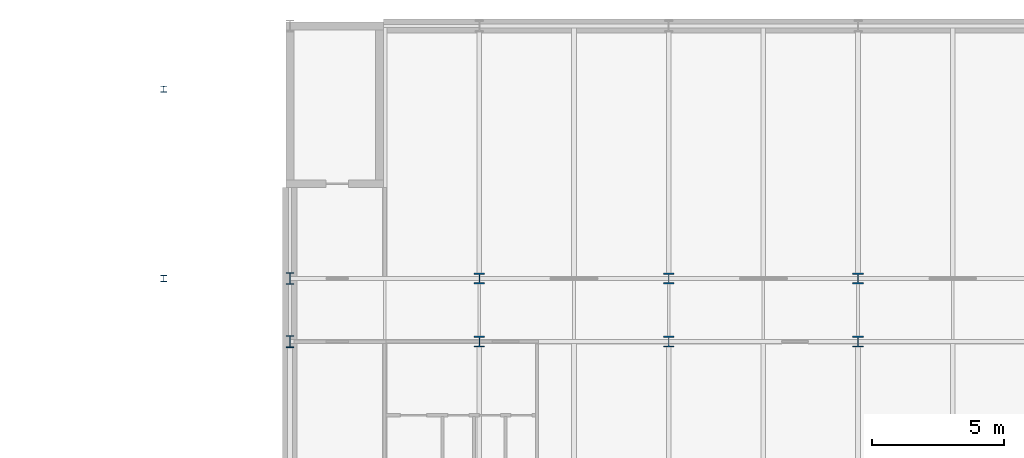
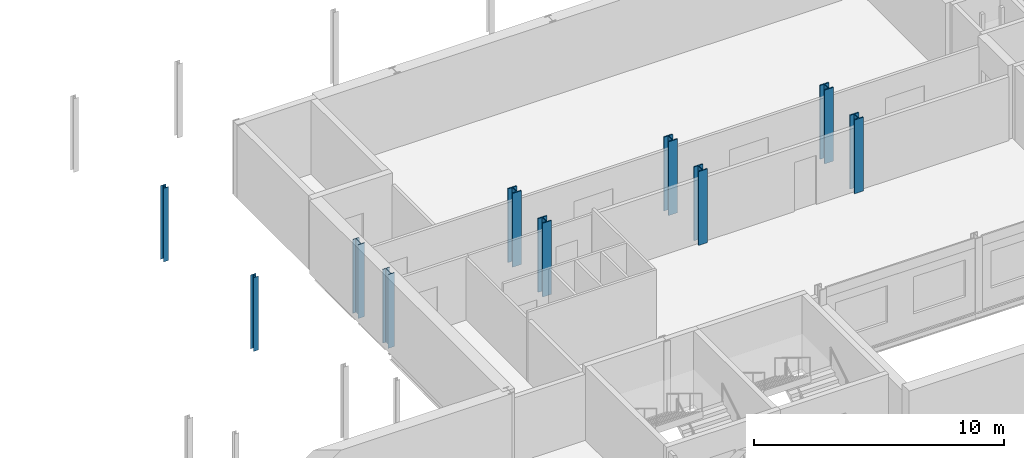
# One storey, part 14 of 90: 10 columns.
"""IFC4 building model written with IfcOpenShell, lengths in metres."""

from ifc_helpers import new_model, si_unit, direction, frame, origin, origin_2d, place, context, subcontext, project, spatial, i_section, extrude, material, material_profile, profile_set, type_object, element, save


model = new_model("IFC4")

# Units and contexts
model_context = context("Model", 3, precision=1e-05, world=origin(), true_north=direction((0.0, 1.0)))
body_context = subcontext(model_context, "Body", "Model", "MODEL_VIEW")
ifc_project = project(units=[si_unit("LENGTHUNIT", "METRE"), si_unit("AREAUNIT", "SQUARE_METRE"), si_unit("VOLUMEUNIT", "CUBIC_METRE"), si_unit("PLANEANGLEUNIT", "RADIAN"), si_unit("MASSUNIT", "GRAM", prefix="KILO")], contexts=[model_context])

# Site, building, storey
site_placement = place(None, origin())
site = spatial("IfcSite", under=ifc_project, at=site_placement, CompositionType="ELEMENT")
building_placement = place(site_placement, origin())
building = spatial("IfcBuilding", under=site, at=building_placement, Name="Kupolbacken Congress Centre", CompositionType="ELEMENT")
storey_placement = place(building_placement, frame((0.0, 0.0, 3.60009765625)))
storey = spatial("IfcBuildingStorey", under=building, at=storey_placement, Name="L01", CompositionType="ELEMENT", Elevation=3.60009765625)

# Columns
ifc_material_1 = material(Name="Steel S355", Category="steel")
ifc_material_profile_1 = material_profile(ifc_material_1, i_section(OverallWidth=0.408935546875, OverallDepth=0.425048828125, WebThickness=0.03271484375, FlangeThickness=0.052490234375, FilletRadius=0.014892578125, at=origin_2d()), Name="HD 400 x 421")
ifc_profile_set_1 = profile_set([ifc_material_profile_1], Name="Steel S355")
column_type_1 = type_object("IfcColumnType", Name="C01 column HD 400 x 421", PredefinedType="COLUMN", material=ifc_profile_set_1)
for number, where, z_axis, x_axis, name in (
    (1, (72.0, 132.0, 0.0), (0.0, 0.0, 1.0), (1.0, 0.0, 0.0), "S/col/C-T-11U+2400/L01"),
    (2, (72.0, 134.39990234375, 0.0), (0.0, 0.0, 1.0), (1.0, 0.0, 0.0), "S/col/C-T-11U+4800/L01"),
    (3, (79.199951171875, 132.0, 0.0), (0.0, 0.0, 1.0), (1.0, 0.0, 0.0), "S/col/C-T-12U+2400/L01"),
    (4, (79.199951171875, 134.39990234375, 0.0), (0.0, 0.0, 1.0), (1.0, 0.0, 0.0), "S/col/C-T-12U+4800/L01"),
    (5, (86.39990234375, 132.0, 0.0), (0.0, 0.0, 1.0), (1.0, 0.0, 0.0), "S/col/C-T-13U+2400/L01"),
    (6, (86.39990234375, 134.39990234375, 0.0), (0.0, 0.0, 1.0), (1.0, 0.0, 0.0), "S/col/C-T-13U+4800/L01"),
):
    element("IfcColumn", number, at=place(storey_placement, frame(where, z_axis=z_axis, x_axis=x_axis)), inside=storey, type_object=column_type_1, Name=name, PredefinedType="COLUMN", context=body_context, shape_type="SweptSolid", body=[
        extrude(i_section(OverallWidth=0.408935546875, OverallDepth=0.425048828125, WebThickness=0.03271484375, FlangeThickness=0.052490234375, FilletRadius=0.014892578125, at=origin_2d()), origin(), (0.0, 0.0, 1.0), 3.599853515625),
    ])
ifc_material_2 = material(Name="Steel S355", Category="steel")
ifc_material_profile_2 = material_profile(ifc_material_2, i_section(OverallWidth=0.300048828125, OverallDepth=0.449951171875, WebThickness=0.013916015625, FlangeThickness=0.02587890625, FilletRadius=0.027099609375, at=origin_2d()), Name="HEB 450")
ifc_profile_set_2 = profile_set([ifc_material_profile_2], Name="Steel S355")
column_type_2 = type_object("IfcColumnType", Name="C03 column HEB 450", PredefinedType="COLUMN", material=ifc_profile_set_2)
for number, where, z_axis, x_axis, name in (
    (7, (64.800048828125, 132.0, 0.0), (0.0, 0.0, 1.0), (1.0, 0.0, 0.0), "S/col/C-T-10U+2400/L01"),
    (8, (64.800048828125, 134.39990234375, 0.0), (0.0, 0.0, 1.0), (1.0, 0.0, 0.0), "S/col/C-T-10U+4800/L01"),
):
    element("IfcColumn", number, at=place(storey_placement, frame(where, z_axis=z_axis, x_axis=x_axis)), inside=storey, type_object=column_type_2, Name=name, PredefinedType="COLUMN", context=body_context, shape_type="SweptSolid", body=[
        extrude(i_section(OverallWidth=0.300048828125, OverallDepth=0.449951171875, WebThickness=0.013916015625, FlangeThickness=0.02587890625, FilletRadius=0.027099609375, at=origin_2d()), origin(), (0.0, 0.0, 1.0), 3.599853515625),
    ])
ifc_material_3 = material(Name="Steel S355", Category="steel")
ifc_material_profile_3 = material_profile(ifc_material_3, i_section(OverallWidth=0.239990234375, OverallDepth=0.22998046875, WebThickness=0.007568359375, FlangeThickness=0.011962890625, FilletRadius=0.02099609375, at=origin_2d()), Name="HEA 240")
ifc_profile_set_3 = profile_set([ifc_material_profile_3], Name="Steel S355")
column_type_3 = type_object("IfcColumnType", Name="C10 column HEA 240", PredefinedType="COLUMN", material=ifc_profile_set_3)
for number, where, z_axis, x_axis, name in (
    (9, (60.0, 134.39990234375, 0.0), (0.0, 0.0, 1.0), (1.0, 0.0, 0.0), "E/T/portico/W/col134.4/L01"),
    (10, (60.0, 141.60009765625, 0.0), (0.0, 0.0, 1.0), (1.0, 0.0, 0.0), "E/T/portico/W/col141.6/L01"),
):
    element("IfcColumn", number, at=place(storey_placement, frame(where, z_axis=z_axis, x_axis=x_axis)), inside=storey, type_object=column_type_3, Name=name, PredefinedType="COLUMN", context=body_context, shape_type="SweptSolid", body=[
        extrude(i_section(OverallWidth=0.239990234375, OverallDepth=0.22998046875, WebThickness=0.007568359375, FlangeThickness=0.011962890625, FilletRadius=0.02099609375, at=origin_2d()), origin(), (0.0, 0.0, 1.0), 3.599853515625),
    ])

save(model, "model.ifc")
